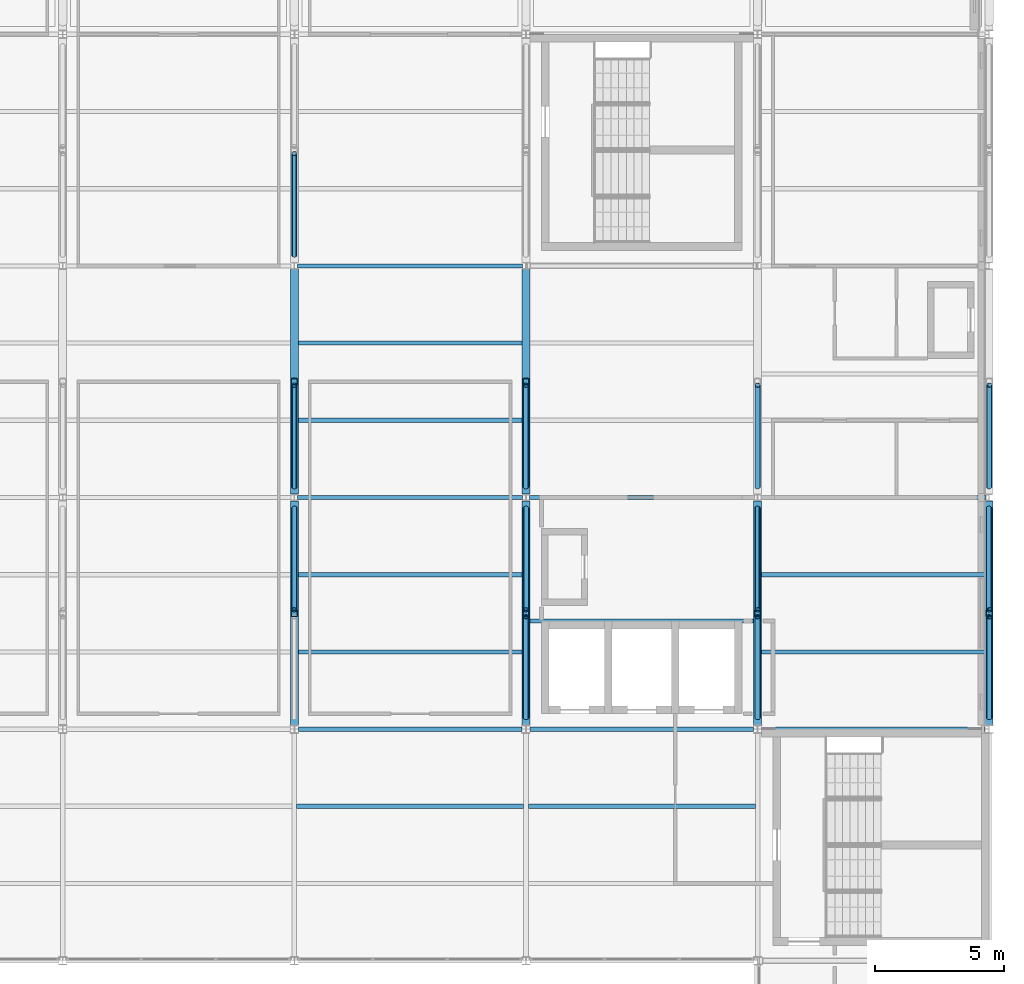
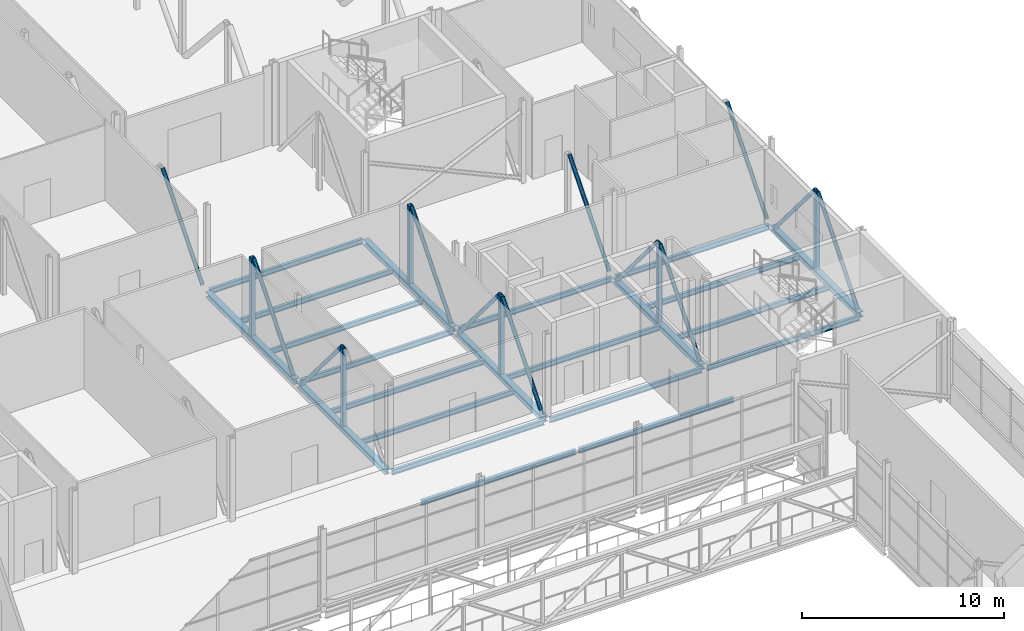
# One storey, part 59 of 94: 22 beams, 18 members.
"""IFC4 building model written with IfcOpenShell, lengths in metres."""

from ifc_helpers import new_model, si_unit, direction, frame, origin, origin_2d, place, context, subcontext, project, spatial, hollow_rectangle, hollow_circle, i_section, extrude, material, material_profile, profile_set, type_object, element, save


model = new_model("IFC4")

# Units and contexts
model_context = context("Model", 3, precision=1e-05, world=origin(), true_north=direction((0.0, 1.0)))
body_context = subcontext(model_context, "Body", "Model", "MODEL_VIEW")
ifc_project = project(units=[si_unit("LENGTHUNIT", "METRE"), si_unit("AREAUNIT", "SQUARE_METRE"), si_unit("VOLUMEUNIT", "CUBIC_METRE"), si_unit("PLANEANGLEUNIT", "RADIAN"), si_unit("MASSUNIT", "GRAM", prefix="KILO")], contexts=[model_context])

# Site, building, storey
site_placement = place(None, origin())
site = spatial("IfcSite", under=ifc_project, at=site_placement, CompositionType="ELEMENT")
building_placement = place(site_placement, origin())
building = spatial("IfcBuilding", under=site, at=building_placement, Name="Shorebreak Coast Museum", CompositionType="ELEMENT")
storey_placement = place(building_placement, frame((0.0, 0.0, 31.0)))
storey = spatial("IfcBuildingStorey", under=building, at=storey_placement, Name="L05", CompositionType="ELEMENT", Elevation=31.0)

# Beams
ifc_material_1 = material(Name="Steel Grade 300", Category="steel")
ifc_material_profile_1 = material_profile(ifc_material_1, i_section(OverallWidth=0.166015625, OverallDepth=0.30712890625, WebThickness=0.006591796875, FlangeThickness=0.01171875, FilletRadius=0.011474609375, at=origin_2d()), Name="310UB46.2")
ifc_profile_set_1 = profile_set([ifc_material_profile_1], Name="Steel Grade 300")
beam_type_1 = type_object("IfcBeamType", Name="Floor girder east-west 310UB46.2", PredefinedType="BEAM", material=ifc_profile_set_1)
for number, where, z_axis, x_axis, name in (
    (1, (90.155517578125, 90.0, -0.32861328125), (1.0, 0.0, 0.0), (0.0, 1.0, 0.0), "Floor girder east-west L05 11L"),
    (2, (99.155517578125, 90.0, -0.32861328125), (1.0, 0.0, 0.0), (0.0, 1.0, 0.0), "Floor girder east-west L05 12L"),
    (3, (108.155517578125, 90.0, -0.32861328125), (1.0, 0.0, 0.0), (0.0, 1.0, 0.0), "Floor girder east-west L05 13L"),
):
    element("IfcBeam", number, at=place(storey_placement, frame(where, z_axis=z_axis, x_axis=x_axis)), inside=storey, type_object=beam_type_1, Name=name, PredefinedType="BEAM", context=body_context, shape_type="SweptSolid", body=[
        extrude(i_section(OverallWidth=0.166015625, OverallDepth=0.30712890625, WebThickness=0.006591796875, FlangeThickness=0.01171875, FilletRadius=0.011474609375, at=origin_2d()), origin(), (0.0, 0.0, 1.0), 8.68896484375),
    ])
for number, where, z_axis, x_axis, name in (
    (4, (90.1279296875, 99.0, -0.32861328125), (1.0, 0.0, 0.0), (0.0, 1.0, 0.0), "Floor girder east-west L05 11M"),
    (5, (99.1279296875, 99.0, -0.32861328125), (1.0, 0.0, 0.0), (0.0, 1.0, 0.0), "Floor girder east-west L05 12M"),
    (6, (108.1279296875, 99.0, -0.32861328125), (1.0, 0.0, 0.0), (0.0, 1.0, 0.0), "Floor girder east-west L05 13M"),
    (7, (90.1279296875, 108.0, -0.32861328125), (1.0, 0.0, 0.0), (0.0, 1.0, 0.0), "Floor girder east-west L05 11N"),
):
    element("IfcBeam", number, at=place(storey_placement, frame(where, z_axis=z_axis, x_axis=x_axis)), inside=storey, type_object=beam_type_1, Name=name, PredefinedType="BEAM", context=body_context, shape_type="SweptSolid", body=[
        extrude(i_section(OverallWidth=0.166015625, OverallDepth=0.30712890625, WebThickness=0.006591796875, FlangeThickness=0.01171875, FilletRadius=0.011474609375, at=origin_2d()), origin(), (0.0, 0.0, 1.0), 8.744140625),
    ])
ifc_material_2 = material(Name="Steel Grade 300", Category="steel")
ifc_material_profile_2 = material_profile(ifc_material_2, i_section(OverallWidth=0.1650390625, OverallDepth=0.303955078125, WebThickness=0.006103515625, FlangeThickness=0.01025390625, FilletRadius=0.011474609375, at=origin_2d()), Name="310UB40.4")
ifc_profile_set_2 = profile_set([ifc_material_profile_2], Name="Steel Grade 300")
beam_type_2 = type_object("IfcBeamType", Name="Floor joist 310UB40.4", PredefinedType="JOIST", material=ifc_profile_set_2)
for number, where, z_axis, x_axis, name in (
    (8, (90.089111328125, 87.0, -0.326904296875), (1.0, 0.0, 0.0), (0.0, 1.0, 0.0), "Floor joist L05 bay 11K at 6000 mm"),
    (9, (99.089111328125, 87.0, -0.326904296875), (1.0, 0.0, 0.0), (0.0, 1.0, 0.0), "Floor joist L05 bay 12K at 6000 mm"),
):
    element("IfcBeam", number, at=place(storey_placement, frame(where, z_axis=z_axis, x_axis=x_axis)), inside=storey, type_object=beam_type_2, Name=name, PredefinedType="JOIST", context=body_context, shape_type="SweptSolid", body=[
        extrude(i_section(OverallWidth=0.1650390625, OverallDepth=0.303955078125, WebThickness=0.006103515625, FlangeThickness=0.01025390625, FilletRadius=0.011474609375, at=origin_2d()), origin(), (0.0, 0.0, 1.0), 8.82177734375),
    ])
for number, where, z_axis, x_axis, name in (
    (10, (90.155517578125, 93.0, -0.326904296875), (1.0, 0.0, 0.0), (0.0, 1.0, 0.0), "Floor joist L05 bay 11L at 3000 mm"),
    (11, (90.155517578125, 96.0, -0.326904296875), (1.0, 0.0, 0.0), (0.0, 1.0, 0.0), "Floor joist L05 bay 11L at 6000 mm"),
    (12, (99.155517578125, 94.199951171875, -0.326904296875), (1.0, 0.0, 0.0), (0.0, 1.0, 0.0), "Floor joist L05 bay 12L at 4200 mm"),
    (13, (108.155517578125, 93.0, -0.326904296875), (1.0, 0.0, 0.0), (0.0, 1.0, 0.0), "Floor joist L05 bay 13L at 3000 mm"),
    (14, (108.155517578125, 96.0, -0.326904296875), (1.0, 0.0, 0.0), (0.0, 1.0, 0.0), "Floor joist L05 bay 13L at 6000 mm"),
    (15, (90.155517578125, 102.0, -0.326904296875), (1.0, 0.0, 0.0), (0.0, 1.0, 0.0), "Floor joist L05 bay 11M at 3000 mm"),
    (16, (90.155517578125, 105.0, -0.326904296875), (1.0, 0.0, 0.0), (0.0, 1.0, 0.0), "Floor joist L05 bay 11M at 6000 mm"),
):
    element("IfcBeam", number, at=place(storey_placement, frame(where, z_axis=z_axis, x_axis=x_axis)), inside=storey, type_object=beam_type_2, Name=name, PredefinedType="JOIST", context=body_context, shape_type="SweptSolid", body=[
        extrude(i_section(OverallWidth=0.1650390625, OverallDepth=0.303955078125, WebThickness=0.006103515625, FlangeThickness=0.01025390625, FilletRadius=0.011474609375, at=origin_2d()), origin(), (0.0, 0.0, 1.0), 8.68896484375),
    ])
ifc_material_3 = material(Name="Steel Grade 300", Category="steel")
ifc_material_profile_3 = material_profile(ifc_material_3, i_section(OverallWidth=0.31103515625, OverallDepth=0.3271484375, WebThickness=0.015625, FlangeThickness=0.02490234375, FilletRadius=0.0166015625, at=origin_2d()), Name="310UC158")
ifc_profile_set_3 = profile_set([ifc_material_profile_3], Name="Steel Grade 300")
beam_type_3 = type_object("IfcBeamType", Name="Transfer truss chord 310UC158", PredefinedType="BEAM", material=ifc_profile_set_3)
beam_1_placement = place(storey_placement, frame((90.0, 90.16357421875, -0.338623046875), z_axis=(0.0, 1.0, 0.0), x_axis=(-1.0, 0.0, 0.0)))
element("IfcBeam", 17, at=beam_1_placement, inside=storey, type_object=beam_type_3, Name="Transfer truss TR5 chord C01", PredefinedType="BEAM", context=body_context, shape_type="SweptSolid", body=[
    extrude(i_section(OverallWidth=0.31103515625, OverallDepth=0.3271484375, WebThickness=0.015625, FlangeThickness=0.02490234375, FilletRadius=0.0166015625, at=origin_2d()), origin(), (0.0, 0.0, 1.0), 8.70654296875),
])
beam_2_placement = place(storey_placement, frame((90.0, 99.1298828125, -0.338623046875), z_axis=(0.0, 1.0, 0.0), x_axis=(-1.0, 0.0, 0.0)))
element("IfcBeam", 18, at=beam_2_placement, inside=storey, type_object=beam_type_3, Name="Transfer truss TR5 chord C02", PredefinedType="BEAM", context=body_context, shape_type="SweptSolid", body=[
    extrude(i_section(OverallWidth=0.31103515625, OverallDepth=0.3271484375, WebThickness=0.015625, FlangeThickness=0.02490234375, FilletRadius=0.0166015625, at=origin_2d()), origin(), (0.0, 0.0, 1.0), 8.740234375),
])
beam_3_placement = place(storey_placement, frame((99.0, 90.16357421875, -0.338623046875), z_axis=(0.0, 1.0, 0.0), x_axis=(-1.0, 0.0, 0.0)))
element("IfcBeam", 19, at=beam_3_placement, inside=storey, type_object=beam_type_3, Name="Transfer truss TR6 chord C01", PredefinedType="BEAM", context=body_context, shape_type="SweptSolid", body=[
    extrude(i_section(OverallWidth=0.31103515625, OverallDepth=0.3271484375, WebThickness=0.015625, FlangeThickness=0.02490234375, FilletRadius=0.0166015625, at=origin_2d()), origin(), (0.0, 0.0, 1.0), 8.70654296875),
])
beam_4_placement = place(storey_placement, frame((99.0, 99.1298828125, -0.338623046875), z_axis=(0.0, 1.0, 0.0), x_axis=(-1.0, 0.0, 0.0)))
element("IfcBeam", 20, at=beam_4_placement, inside=storey, type_object=beam_type_3, Name="Transfer truss TR6 chord C02", PredefinedType="BEAM", context=body_context, shape_type="SweptSolid", body=[
    extrude(i_section(OverallWidth=0.31103515625, OverallDepth=0.3271484375, WebThickness=0.015625, FlangeThickness=0.02490234375, FilletRadius=0.0166015625, at=origin_2d()), origin(), (0.0, 0.0, 1.0), 8.740234375),
])
for number, where, z_axis, x_axis, name in (
    (21, (108.0, 90.16357421875, -0.338623046875), (0.0, 1.0, 0.0), (-1.0, 0.0, 0.0), "Transfer truss TR7 chord C01"),
    (22, (117.0, 90.16357421875, -0.338623046875), (0.0, 1.0, 0.0), (-1.0, 0.0, 0.0), "Transfer truss TR8 chord C01"),
):
    element("IfcBeam", number, at=place(storey_placement, frame(where, z_axis=z_axis, x_axis=x_axis)), inside=storey, type_object=beam_type_3, Name=name, PredefinedType="BEAM", context=body_context, shape_type="SweptSolid", body=[
        extrude(i_section(OverallWidth=0.31103515625, OverallDepth=0.3271484375, WebThickness=0.015625, FlangeThickness=0.02490234375, FilletRadius=0.0166015625, at=origin_2d()), origin(), (0.0, 0.0, 1.0), 8.70654296875),
    ])

# Members
ifc_material_4 = material(Name="Steel Grade C350L0", Category="steel")
ifc_material_profile_4 = material_profile(ifc_material_4, hollow_circle(Radius=0.109619140625, WallThickness=0.00830078125, at=origin_2d()), Name="219.1x8.2 CHS")
ifc_profile_set_4 = profile_set([ifc_material_profile_4], Name="Steel Grade C350L0")
member_type_1 = type_object("IfcMemberType", Name="Transfer truss diagonal 219.1x8.2 CHS", PredefinedType="BRACE", material=ifc_profile_set_4)
for number, where, z_axis, x_axis, name in (
    (23, (90.0, 98.58203125, -0.175048828125), (0.0, -0.644727508452, 0.764412480174), (1.0, 0.0, 0.0), "Transfer truss TR5 diagonal D02"),
    (24, (90.0, 99.41796875, -0.175048828125), (0.0, 0.644727508452, 0.764412480174), (-1.0, 0.0, 0.0), "Transfer truss TR5 diagonal D03"),
    (25, (90.0, 108.41796875, -0.175048828125), (0.0, 0.644727508452, 0.764412480174), (-1.0, 0.0, 0.0), "Transfer truss TR5 diagonal D04"),
):
    element("IfcMember", number, at=place(storey_placement, frame(where, z_axis=z_axis, x_axis=x_axis)), inside=storey, type_object=member_type_1, Name=name, PredefinedType="BRACE", context=body_context, shape_type="SweptSolid", body=[
        extrude(hollow_circle(Radius=0.109619140625, WallThickness=0.00830078125, at=origin_2d()), origin(), (0.0, 0.0, 1.0), 6.12158203125),
    ])
member_1_placement = place(storey_placement, frame((99.0, 90.450439453125, -0.175048828125), z_axis=(0.0, 0.641729837353, 0.76693077644), x_axis=(-1.0, 0.0, 0.0)))
element("IfcMember", 26, at=member_1_placement, inside=storey, type_object=member_type_1, Name="Transfer truss TR6 diagonal D01", PredefinedType="BRACE", context=body_context, shape_type="SweptSolid", body=[
    extrude(hollow_circle(Radius=0.109619140625, WallThickness=0.00830078125, at=origin_2d()), origin(), (0.0, 0.0, 1.0), 6.1015625),
])
for number, where, z_axis, x_axis, name in (
    (27, (99.0, 98.58203125, -0.175048828125), (0.0, -0.644727508452, 0.764412480174), (1.0, 0.0, 0.0), "Transfer truss TR6 diagonal D02"),
    (28, (99.0, 99.41796875, -0.175048828125), (0.0, 0.644727508452, 0.764412480174), (-1.0, 0.0, 0.0), "Transfer truss TR6 diagonal D03"),
):
    element("IfcMember", number, at=place(storey_placement, frame(where, z_axis=z_axis, x_axis=x_axis)), inside=storey, type_object=member_type_1, Name=name, PredefinedType="BRACE", context=body_context, shape_type="SweptSolid", body=[
        extrude(hollow_circle(Radius=0.109619140625, WallThickness=0.00830078125, at=origin_2d()), origin(), (0.0, 0.0, 1.0), 6.12158203125),
    ])
member_2_placement = place(storey_placement, frame((108.0, 90.450439453125, -0.175048828125), z_axis=(0.0, 0.641729837353, 0.76693077644), x_axis=(-1.0, 0.0, 0.0)))
element("IfcMember", 29, at=member_2_placement, inside=storey, type_object=member_type_1, Name="Transfer truss TR7 diagonal D01", PredefinedType="BRACE", context=body_context, shape_type="SweptSolid", body=[
    extrude(hollow_circle(Radius=0.109619140625, WallThickness=0.00830078125, at=origin_2d()), origin(), (0.0, 0.0, 1.0), 6.1015625),
])
for number, where, z_axis, x_axis, name in (
    (30, (108.0, 98.58203125, -0.175048828125), (0.0, -0.644727508452, 0.764412480174), (1.0, 0.0, 0.0), "Transfer truss TR7 diagonal D02"),
    (31, (108.0, 99.41796875, -0.175048828125), (0.0, 0.644727508452, 0.764412480174), (-1.0, 0.0, 0.0), "Transfer truss TR7 diagonal D03"),
):
    element("IfcMember", number, at=place(storey_placement, frame(where, z_axis=z_axis, x_axis=x_axis)), inside=storey, type_object=member_type_1, Name=name, PredefinedType="BRACE", context=body_context, shape_type="SweptSolid", body=[
        extrude(hollow_circle(Radius=0.109619140625, WallThickness=0.00830078125, at=origin_2d()), origin(), (0.0, 0.0, 1.0), 6.12158203125),
    ])
member_3_placement = place(storey_placement, frame((117.0, 90.450439453125, -0.175048828125), z_axis=(0.0, 0.641729837353, 0.76693077644), x_axis=(-1.0, 0.0, 0.0)))
element("IfcMember", 32, at=member_3_placement, inside=storey, type_object=member_type_1, Name="Transfer truss TR8 diagonal D01", PredefinedType="BRACE", context=body_context, shape_type="SweptSolid", body=[
    extrude(hollow_circle(Radius=0.109619140625, WallThickness=0.00830078125, at=origin_2d()), origin(), (0.0, 0.0, 1.0), 6.1015625),
])
for number, where, z_axis, x_axis, name in (
    (33, (117.0, 98.58203125, -0.175048828125), (0.0, -0.644727508452, 0.764412480174), (1.0, 0.0, 0.0), "Transfer truss TR8 diagonal D02"),
    (34, (117.0, 99.41796875, -0.175048828125), (0.0, 0.644727508452, 0.764412480174), (-1.0, 0.0, 0.0), "Transfer truss TR8 diagonal D03"),
):
    element("IfcMember", number, at=place(storey_placement, frame(where, z_axis=z_axis, x_axis=x_axis)), inside=storey, type_object=member_type_1, Name=name, PredefinedType="BRACE", context=body_context, shape_type="SweptSolid", body=[
        extrude(hollow_circle(Radius=0.109619140625, WallThickness=0.00830078125, at=origin_2d()), origin(), (0.0, 0.0, 1.0), 6.12158203125),
    ])
ifc_material_5 = material(Name="Steel Grade C450L0", Category="steel")
ifc_material_profile_5 = material_profile(ifc_material_5, hollow_rectangle(XDim=0.25, YDim=0.25, WallThickness=0.012451171875, InnerFilletRadius=0.018798828125, OuterFilletRadius=0.03125, at=origin_2d()), Name="250x250x12.5 SHS")
ifc_profile_set_5 = profile_set([ifc_material_profile_5], Name="Steel Grade C450L0")
member_type_2 = type_object("IfcMemberType", Name="Transfer truss strut 250x250x12.5 SHS", PredefinedType="STRUT", material=ifc_profile_set_5)
for number, where, z_axis, x_axis, name in (
    (35, (90.0, 94.5, -0.175048828125), (0.0, 0.0, 1.0), (1.0, 0.0, 0.0), "Transfer truss TR5 strut V01"),
    (36, (90.0, 103.5, -0.175048828125), (0.0, 0.0, 1.0), (1.0, 0.0, 0.0), "Transfer truss TR5 strut V02"),
    (37, (99.0, 94.5, -0.175048828125), (0.0, 0.0, 1.0), (1.0, 0.0, 0.0), "Transfer truss TR6 strut V01"),
    (38, (99.0, 103.5, -0.175048828125), (0.0, 0.0, 1.0), (1.0, 0.0, 0.0), "Transfer truss TR6 strut V02"),
    (39, (108.0, 94.5, -0.175048828125), (0.0, 0.0, 1.0), (1.0, 0.0, 0.0), "Transfer truss TR7 strut V01"),
    (40, (117.0, 94.5, -0.175048828125), (0.0, 0.0, 1.0), (1.0, 0.0, 0.0), "Transfer truss TR8 strut V01"),
):
    element("IfcMember", number, at=place(storey_placement, frame(where, z_axis=z_axis, x_axis=x_axis)), inside=storey, type_object=member_type_2, Name=name, PredefinedType="STRUT", context=body_context, shape_type="SweptSolid", body=[
        extrude(hollow_rectangle(XDim=0.25, YDim=0.25, WallThickness=0.012451171875, InnerFilletRadius=0.018798828125, OuterFilletRadius=0.03125, at=origin_2d()), origin(), (0.0, 0.0, 1.0), 4.679443359375),
    ])

save(model, "model.ifc")
